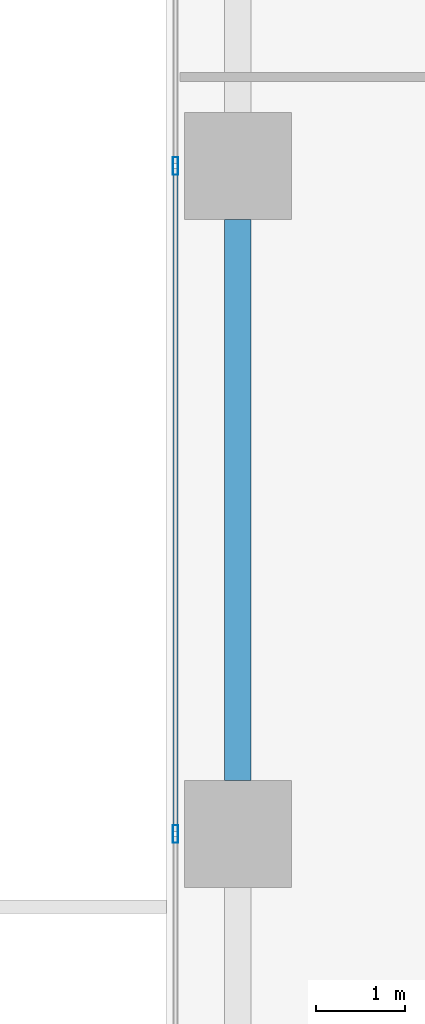
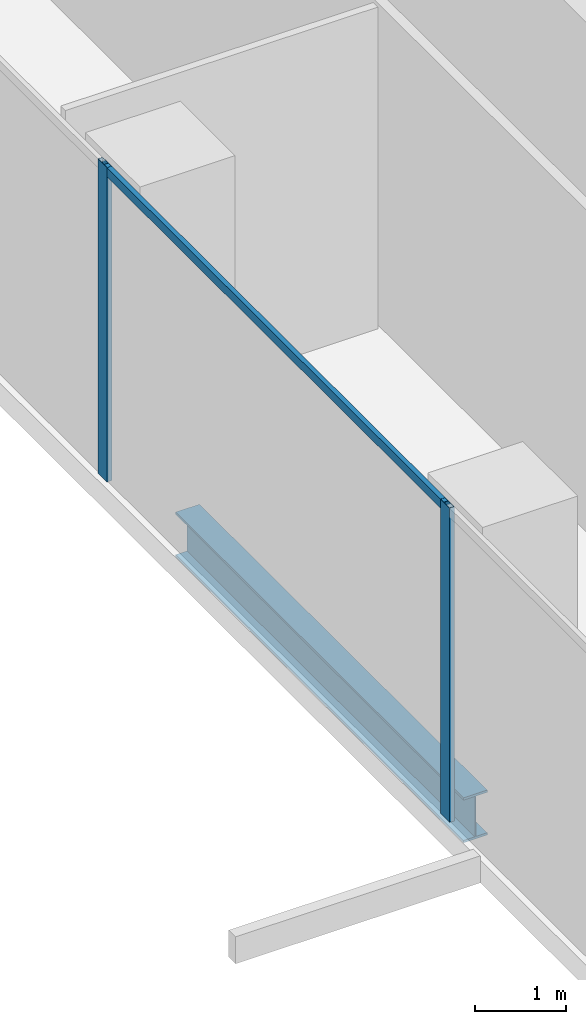
# One storey, part 5 of 33: 3 members, 1 beam, 1 element without a shape of its own.
"""IFC4 building model written with IfcOpenShell, lengths in metres."""

from ifc_helpers import new_model, si_unit, direction, frame, origin, origin_2d, place, context, subcontext, project, spatial, hollow_rectangle, i_section, extrude, source, transform, mapped, material, material_profile, profile_set, type_object, element, aggregate, save


model = new_model("IFC4")

# Units and contexts
model_context = context("Model", 3, precision=1e-05, world=origin(), true_north=direction((0.0, 1.0)))
body_context = subcontext(model_context, "Body", "Model", "MODEL_VIEW")
ifc_project = project(units=[si_unit("LENGTHUNIT", "METRE"), si_unit("AREAUNIT", "SQUARE_METRE"), si_unit("VOLUMEUNIT", "CUBIC_METRE"), si_unit("PLANEANGLEUNIT", "RADIAN"), si_unit("MASSUNIT", "GRAM", prefix="KILO")], contexts=[model_context])

# Site, building, storey
site_placement = place(None, origin())
site = spatial("IfcSite", under=ifc_project, at=site_placement, CompositionType="ELEMENT")
building_placement = place(site_placement, origin())
building = spatial("IfcBuilding", under=site, at=building_placement, Name="Khomas Fold Tower", CompositionType="ELEMENT")
storey_placement = place(building_placement, frame((0.0, 0.0, 82.5)))
storey = spatial("IfcBuildingStorey", under=building, at=storey_placement, Name="L17", CompositionType="ELEMENT", Elevation=82.5)

# Beam
ifc_material_1 = material(Name="Steel S355", Category="steel")
ifc_material_profile_1 = material_profile(ifc_material_1, i_section(OverallWidth=0.300048828125, OverallDepth=0.60009765625, WebThickness=0.015380859375, FlangeThickness=0.030029296875, at=origin_2d()), Name="HE 600 B")
ifc_profile_set_1 = profile_set([ifc_material_profile_1], Name="Steel S355")
beam_type = type_object("IfcBeamType", Name="HE 600 B spandrel SB1", PredefinedType="SPANDREL", material=ifc_profile_set_1)
shared_shape_1 = source(origin(), body_context, "Body", "SweptSolid", [
    extrude(i_section(OverallWidth=0.300048828125, OverallDepth=0.60009765625, WebThickness=0.015380859375, FlangeThickness=0.030029296875, at=origin_2d()), origin(), (0.0, 0.0, 1.0), 6.2998046875),
])
beam_placement = place(storey_placement, frame((0.800048828125, 20.10009765625, -0.60009765625), z_axis=(0.0, 1.0, 0.0), x_axis=(-1.0, 0.0, 0.0)))
element("IfcBeam", 1, at=beam_placement, inside=storey, type_object=beam_type, Name="SB1", PredefinedType="SPANDREL", context=body_context, shape_type="MappedRepresentation", body=[
    mapped(shared_shape_1, transform((0.0, 0.0, 0.0))),
])

# Curtain wall, members
ifc_material_2 = material(Name="Aluminium framed double glazing", Category="aluminium")
curtain_wall_type = type_object("IfcCurtainWallType", Name="SK-Unitised clear-glass wall, growing floors CW1", PredefinedType="NOTDEFINED", material=ifc_material_2)
curtain_wall_placement = place(storey_placement, origin())
curtain_wall = element("IfcCurtainWall", 2, at=curtain_wall_placement, inside=storey, type_object=curtain_wall_type, Name="CW1 run L17 09-0", PredefinedType="NOTDEFINED")
ifc_material_3 = material(Name="Aluminium", Category="aluminium")
ifc_material_profile_2 = material_profile(ifc_material_3, hollow_rectangle(XDim=0.06005859375, YDim=0.1201171875, WallThickness=0.00390625, at=origin_2d()), Name="SK-Unitised clear-glass wall, growing floors transom CW1-T")
ifc_profile_set_2 = profile_set([ifc_material_profile_2], Name="Aluminium")
member_type_1 = type_object("IfcMemberType", Name="SK-Unitised clear-glass wall, growing floors transom CW1-T", PredefinedType="USERDEFINED", material=ifc_profile_set_2)
shared_shape_2 = source(origin(), body_context, "Body", "SweptSolid", [
    extrude(hollow_rectangle(XDim=0.06005859375, YDim=0.1201171875, WallThickness=0.00390625, at=origin_2d()), origin(), (0.0, 0.0, 1.0), 7.43994140625),
])
member_1_placement = place(storey_placement, frame((0.10009765625, 26.969970703125, 4.139892578125), z_axis=(0.0, -1.0, 0.0), x_axis=(1.0, 0.0, 0.0)))
member_1 = element("IfcMember", 3, at=member_1_placement, type_object=member_type_1, Name="CW1 transom 5", ObjectType="TRANSOM", PredefinedType="USERDEFINED", context=body_context, shape_type="MappedRepresentation", body=[
    mapped(shared_shape_2, transform((0.0, 0.0, 0.0))),
])
ifc_material_4 = material(Name="Aluminium", Category="aluminium")
ifc_material_profile_3 = material_profile(ifc_material_4, hollow_rectangle(XDim=0.06005859375, YDim=0.199951171875, WallThickness=0.00390625, at=origin_2d()), Name="SK-Unitised clear-glass wall, growing floors mullion CW1-M")
ifc_profile_set_3 = profile_set([ifc_material_profile_3], Name="Aluminium")
member_type_2 = type_object("IfcMemberType", Name="SK-Unitised clear-glass wall, growing floors mullion CW1-M", PredefinedType="MULLION", material=ifc_profile_set_3)
shared_shape_3 = source(origin(), body_context, "Body", "SweptSolid", [
    extrude(hollow_rectangle(XDim=0.06005859375, YDim=0.199951171875, WallThickness=0.00390625, at=origin_2d()), origin(), (0.0, 0.0, 1.0), 4.199951171875),
])
member_2_placement = place(storey_placement, frame((0.10009765625, 27.0, 0.0), z_axis=(0.0, 0.0, 1.0), x_axis=(1.0, 0.0, 0.0)))
member_2 = element("IfcMember", 4, at=member_2_placement, type_object=member_type_2, Name="CW1 mullion 5", PredefinedType="MULLION", context=body_context, shape_type="MappedRepresentation", body=[
    mapped(shared_shape_3, transform((0.0, 0.0, 0.0))),
])
member_3_placement = place(storey_placement, frame((0.10009765625, 19.5, 0.0), z_axis=(0.0, 0.0, 1.0), x_axis=(1.0, 0.0, 0.0)))
member_3 = element("IfcMember", 5, at=member_3_placement, type_object=member_type_2, Name="CW1 mullion 6", PredefinedType="MULLION", context=body_context, shape_type="MappedRepresentation", body=[
    mapped(shared_shape_3, transform((0.0, 0.0, 0.0))),
])
aggregate(curtain_wall, [member_2, member_3, member_1])

save(model, "model.ifc")
